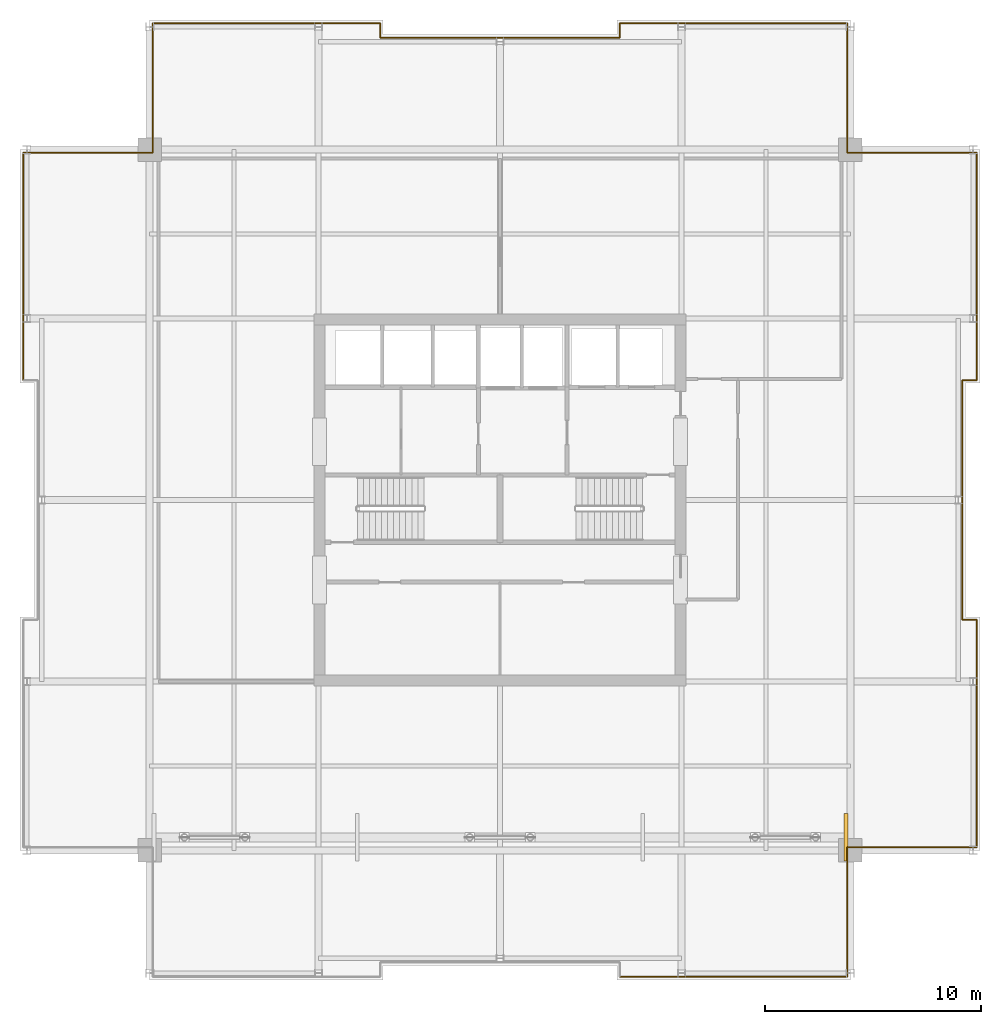
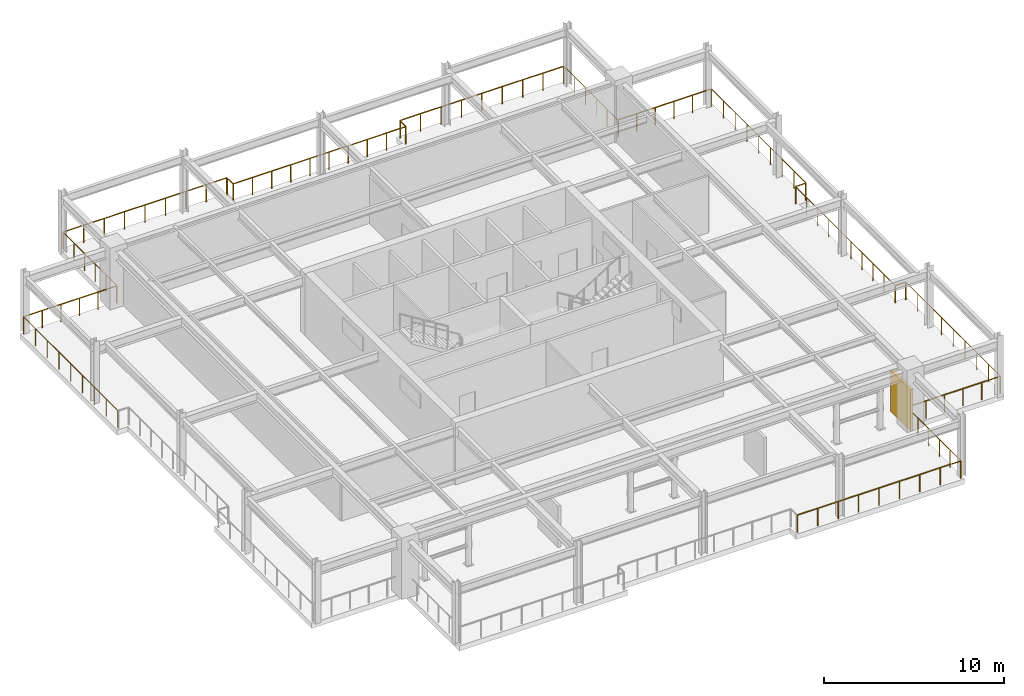
# One storey, part 13 of 13: 18 railings, 1 shading device.
"""IFC4 building model written with IfcOpenShell, lengths in metres."""

from ifc_helpers import new_model, si_unit, direction, frame, origin, origin_2d, place, context, subcontext, project, spatial, rectangle, circle, extrude, material, layer, layer_set, type_object, element, save


model = new_model("IFC4")

# Units and contexts
model_context = context("Model", 3, precision=1e-05, world=origin(), true_north=direction((0.0, 1.0)))
body_context = subcontext(model_context, "Body", "Model", "MODEL_VIEW")
ifc_project = project(units=[si_unit("LENGTHUNIT", "METRE"), si_unit("AREAUNIT", "SQUARE_METRE"), si_unit("VOLUMEUNIT", "CUBIC_METRE"), si_unit("PLANEANGLEUNIT", "RADIAN"), si_unit("MASSUNIT", "GRAM", prefix="KILO")], contexts=[model_context])

# Site, building, storey
site_placement = place(None, origin())
site = spatial("IfcSite", under=ifc_project, at=site_placement, CompositionType="ELEMENT")
building_placement = place(site_placement, origin())
building = spatial("IfcBuilding", under=site, at=building_placement, Name="Drelvath Grand Hotel", CompositionType="ELEMENT")
storey_placement = place(building_placement, frame((0.0, 0.0, 303.0)))
storey = spatial("IfcBuildingStorey", under=building, at=storey_placement, Name="L79", CompositionType="ELEMENT", Elevation=303.0)

# Shading device
ifc_material_1 = material(Name="Pale-Metal Anodised Aluminium Louvre", Category="aluminium")
ifc_layer = layer(ifc_material_1, 0.179931640625)
ifc_layer_set = layer_set([ifc_layer], Name="Pale-Metal Anodised Aluminium Louvre")
shading_device_type = type_object("IfcShadingDeviceType", Name="Mechanical Acoustic Weather Louvre Pale-Metal 180", PredefinedType="USERDEFINED", material=ifc_layer_set)
shading_device_placement = place(storey_placement, frame((16.0, 11.39990234375, 0.0), z_axis=(0.0, 0.0, 1.0), x_axis=(1.0, 0.0, 0.0)))
element("IfcShadingDevice", 1, at=shading_device_placement, inside=storey, type_object=shading_device_type, Name="L79 Wind-Turbine Acoustic Shroud Louvre 4", ObjectType="LOUVRE", PredefinedType="USERDEFINED", context=body_context, shape_type="SweptSolid", body=[
    extrude(rectangle(XDim=0.179931640625, YDim=2.199951171875, at=origin_2d()), origin(), (0.0, 0.0, 1.0), 2.800048828125),
])

# Railings
ifc_material_2 = material(Name="Stainless Steel Grade 316 Guardrail", Category="steel")
railing_type = type_object("IfcRailingType", Name="Open Wind-Slot Perimeter Guardrail 1200", PredefinedType="GUARDRAIL", material=ifc_material_2)
railing_1_placement = place(storey_placement, frame((-22.06005859375, 32.56201171875, 0.0)))
element("IfcRailing", 2, at=railing_1_placement, inside=storey, type_object=railing_type, Name="L79 Open Wind-Turbine Deck Perimeter Guardrail E07", PredefinedType="GUARDRAIL", context=body_context, shape_type="SweptSolid", body=[
    extrude(circle(Radius=0.02392578125, at=origin_2d()), frame((0.0, 0.0, 1.17578125), z_axis=(0.0, 1.0, 0.0), x_axis=(-1.0, 0.0, 0.0)), (0.0, 0.0, 1.0), 10.47607421875),
    extrude(circle(Radius=0.02099609375, at=origin_2d()), origin(), (0.0, 0.0, 1.0), 1.15185546875),
    extrude(circle(Radius=0.02099609375, at=origin_2d()), frame((0.0, 1.3095703125, 0.0)), (0.0, 0.0, 1.0), 1.15185546875),
    extrude(circle(Radius=0.02099609375, at=origin_2d()), frame((0.0, 2.619140625, 0.0)), (0.0, 0.0, 1.0), 1.15185546875),
    extrude(circle(Radius=0.02099609375, at=origin_2d()), frame((0.0, 3.928466796875, 0.0)), (0.0, 0.0, 1.0), 1.15185546875),
    extrude(circle(Radius=0.02099609375, at=origin_2d()), frame((0.0, 5.238037109375, 0.0)), (0.0, 0.0, 1.0), 1.15185546875),
    extrude(circle(Radius=0.02099609375, at=origin_2d()), frame((0.0, 6.547607421875, 0.0)), (0.0, 0.0, 1.0), 1.15185546875),
    extrude(circle(Radius=0.02099609375, at=origin_2d()), frame((0.0, 7.85693359375, 0.0)), (0.0, 0.0, 1.0), 1.15185546875),
    extrude(circle(Radius=0.02099609375, at=origin_2d()), frame((0.0, 9.16650390625, 0.0)), (0.0, 0.0, 1.0), 1.15185546875),
    extrude(circle(Radius=0.02099609375, at=origin_2d()), frame((0.0, 10.47607421875, 0.0)), (0.0, 0.0, 1.0), 1.15185546875),
])
railing_2_placement = place(storey_placement, frame((-22.0380859375, 43.06005859375, 0.0)))
element("IfcRailing", 3, at=railing_2_placement, inside=storey, type_object=railing_type, Name="L79 Open Wind-Turbine Deck Perimeter Guardrail E08", PredefinedType="GUARDRAIL", context=body_context, shape_type="SweptSolid", body=[
    extrude(circle(Radius=0.02392578125, at=origin_2d()), frame((0.0, 0.0, 1.17578125), z_axis=(1.0, 0.0, 0.0), x_axis=(0.0, 1.0, 0.0)), (0.0, 0.0, 1.0), 5.9560546875),
    extrude(circle(Radius=0.02099609375, at=origin_2d()), origin(), (0.0, 0.0, 1.0), 1.15185546875),
    extrude(circle(Radius=0.02099609375, at=origin_2d()), frame((1.191162109375, 0.0, 0.0)), (0.0, 0.0, 1.0), 1.15185546875),
    extrude(circle(Radius=0.02099609375, at=origin_2d()), frame((2.38232421875, 0.0, 0.0)), (0.0, 0.0, 1.0), 1.15185546875),
    extrude(circle(Radius=0.02099609375, at=origin_2d()), frame((3.57373046875, 0.0, 0.0)), (0.0, 0.0, 1.0), 1.15185546875),
    extrude(circle(Radius=0.02099609375, at=origin_2d()), frame((4.764892578125, 0.0, 0.0)), (0.0, 0.0, 1.0), 1.15185546875),
    extrude(circle(Radius=0.02099609375, at=origin_2d()), frame((5.9560546875, 0.0, 0.0)), (0.0, 0.0, 1.0), 1.15185546875),
])
railing_3_placement = place(storey_placement, frame((-16.06005859375, 43.08203125, 0.0)))
element("IfcRailing", 4, at=railing_3_placement, inside=storey, type_object=railing_type, Name="L79 Open Wind-Turbine Deck Perimeter Guardrail E09", PredefinedType="GUARDRAIL", context=body_context, shape_type="SweptSolid", body=[
    extrude(circle(Radius=0.02392578125, at=origin_2d()), frame((0.0, 0.0, 1.17578125), z_axis=(0.0, 1.0, 0.0), x_axis=(-1.0, 0.0, 0.0)), (0.0, 0.0, 1.0), 5.9560546875),
    extrude(circle(Radius=0.02099609375, at=origin_2d()), origin(), (0.0, 0.0, 1.0), 1.15185546875),
    extrude(circle(Radius=0.02099609375, at=origin_2d()), frame((0.0, 1.191162109375, 0.0)), (0.0, 0.0, 1.0), 1.15185546875),
    extrude(circle(Radius=0.02099609375, at=origin_2d()), frame((0.0, 2.38232421875, 0.0)), (0.0, 0.0, 1.0), 1.15185546875),
    extrude(circle(Radius=0.02099609375, at=origin_2d()), frame((0.0, 3.57373046875, 0.0)), (0.0, 0.0, 1.0), 1.15185546875),
    extrude(circle(Radius=0.02099609375, at=origin_2d()), frame((0.0, 4.764892578125, 0.0)), (0.0, 0.0, 1.0), 1.15185546875),
    extrude(circle(Radius=0.02099609375, at=origin_2d()), frame((0.0, 5.9560546875, 0.0)), (0.0, 0.0, 1.0), 1.15185546875),
])
railing_4_placement = place(storey_placement, frame((-16.0380859375, 49.06005859375, 0.0)))
element("IfcRailing", 5, at=railing_4_placement, inside=storey, type_object=railing_type, Name="L79 Open Wind-Turbine Deck Perimeter Guardrail E10", PredefinedType="GUARDRAIL", context=body_context, shape_type="SweptSolid", body=[
    extrude(circle(Radius=0.02392578125, at=origin_2d()), frame((0.0, 0.0, 1.17578125), z_axis=(1.0, 0.0, 0.0), x_axis=(0.0, 1.0, 0.0)), (0.0, 0.0, 1.0), 10.47607421875),
    extrude(circle(Radius=0.02099609375, at=origin_2d()), origin(), (0.0, 0.0, 1.0), 1.15185546875),
    extrude(circle(Radius=0.02099609375, at=origin_2d()), frame((1.3095703125, 0.0, 0.0)), (0.0, 0.0, 1.0), 1.15185546875),
    extrude(circle(Radius=0.02099609375, at=origin_2d()), frame((2.619140625, 0.0, 0.0)), (0.0, 0.0, 1.0), 1.15185546875),
    extrude(circle(Radius=0.02099609375, at=origin_2d()), frame((3.928466796875, 0.0, 0.0)), (0.0, 0.0, 1.0), 1.15185546875),
    extrude(circle(Radius=0.02099609375, at=origin_2d()), frame((5.238037109375, 0.0, 0.0)), (0.0, 0.0, 1.0), 1.15185546875),
    extrude(circle(Radius=0.02099609375, at=origin_2d()), frame((6.547607421875, 0.0, 0.0)), (0.0, 0.0, 1.0), 1.15185546875),
    extrude(circle(Radius=0.02099609375, at=origin_2d()), frame((7.85693359375, 0.0, 0.0)), (0.0, 0.0, 1.0), 1.15185546875),
    extrude(circle(Radius=0.02099609375, at=origin_2d()), frame((9.16650390625, 0.0, 0.0)), (0.0, 0.0, 1.0), 1.15185546875),
    extrude(circle(Radius=0.02099609375, at=origin_2d()), frame((10.47607421875, 0.0, 0.0)), (0.0, 0.0, 1.0), 1.15185546875),
])
railing_5_placement = place(storey_placement, frame((-5.5400390625, 49.0380859375, 0.0)))
element("IfcRailing", 6, at=railing_5_placement, inside=storey, type_object=railing_type, Name="L79 Open Wind-Turbine Deck Perimeter Guardrail E11", PredefinedType="GUARDRAIL", context=body_context, shape_type="SweptSolid", body=[
    extrude(circle(Radius=0.02392578125, at=origin_2d()), frame((0.0, 0.0, 1.17578125), z_axis=(0.0, -1.0, 0.0), x_axis=(1.0, 0.0, 0.0)), (0.0, 0.0, 1.0), 0.635986328125),
    extrude(circle(Radius=0.02099609375, at=origin_2d()), origin(), (0.0, 0.0, 1.0), 1.15185546875),
    extrude(circle(Radius=0.02099609375, at=origin_2d()), frame((0.0, -0.635986328125, 0.0)), (0.0, 0.0, 1.0), 1.15185546875),
])
railing_6_placement = place(storey_placement, frame((-5.51806640625, 48.3798828125, 0.0)))
element("IfcRailing", 7, at=railing_6_placement, inside=storey, type_object=railing_type, Name="L79 Open Wind-Turbine Deck Perimeter Guardrail E12", PredefinedType="GUARDRAIL", context=body_context, shape_type="SweptSolid", body=[
    extrude(circle(Radius=0.02392578125, at=origin_2d()), frame((0.0, 0.0, 1.17578125), z_axis=(1.0, 0.0, 0.0), x_axis=(0.0, 1.0, 0.0)), (0.0, 0.0, 1.0), 11.0361328125),
    extrude(circle(Radius=0.02099609375, at=origin_2d()), origin(), (0.0, 0.0, 1.0), 1.15185546875),
    extrude(circle(Radius=0.02099609375, at=origin_2d()), frame((1.226318359375, 0.0, 0.0)), (0.0, 0.0, 1.0), 1.15185546875),
    extrude(circle(Radius=0.02099609375, at=origin_2d()), frame((2.452392578125, 0.0, 0.0)), (0.0, 0.0, 1.0), 1.15185546875),
    extrude(circle(Radius=0.02099609375, at=origin_2d()), frame((3.6787109375, 0.0, 0.0)), (0.0, 0.0, 1.0), 1.15185546875),
    extrude(circle(Radius=0.02099609375, at=origin_2d()), frame((4.905029296875, 0.0, 0.0)), (0.0, 0.0, 1.0), 1.15185546875),
    extrude(circle(Radius=0.02099609375, at=origin_2d()), frame((6.131103515625, 0.0, 0.0)), (0.0, 0.0, 1.0), 1.15185546875),
    extrude(circle(Radius=0.02099609375, at=origin_2d()), frame((7.357421875, 0.0, 0.0)), (0.0, 0.0, 1.0), 1.15185546875),
    extrude(circle(Radius=0.02099609375, at=origin_2d()), frame((8.583740234375, 0.0, 0.0)), (0.0, 0.0, 1.0), 1.15185546875),
    extrude(circle(Radius=0.02099609375, at=origin_2d()), frame((9.809814453125, 0.0, 0.0)), (0.0, 0.0, 1.0), 1.15185546875),
    extrude(circle(Radius=0.02099609375, at=origin_2d()), frame((11.0361328125, 0.0, 0.0)), (0.0, 0.0, 1.0), 1.15185546875),
])
railing_7_placement = place(storey_placement, frame((5.5400390625, 48.402099609375, 0.0)))
element("IfcRailing", 8, at=railing_7_placement, inside=storey, type_object=railing_type, Name="L79 Open Wind-Turbine Deck Perimeter Guardrail E13", PredefinedType="GUARDRAIL", context=body_context, shape_type="SweptSolid", body=[
    extrude(circle(Radius=0.02392578125, at=origin_2d()), frame((0.0, 0.0, 1.17578125), z_axis=(0.0, 1.0, 0.0), x_axis=(-1.0, 0.0, 0.0)), (0.0, 0.0, 1.0), 0.635986328125),
    extrude(circle(Radius=0.02099609375, at=origin_2d()), origin(), (0.0, 0.0, 1.0), 1.15185546875),
    extrude(circle(Radius=0.02099609375, at=origin_2d()), frame((0.0, 0.635986328125, 0.0)), (0.0, 0.0, 1.0), 1.15185546875),
])
railing_8_placement = place(storey_placement, frame((5.56201171875, 49.06005859375, 0.0)))
element("IfcRailing", 9, at=railing_8_placement, inside=storey, type_object=railing_type, Name="L79 Open Wind-Turbine Deck Perimeter Guardrail E14", PredefinedType="GUARDRAIL", context=body_context, shape_type="SweptSolid", body=[
    extrude(circle(Radius=0.02392578125, at=origin_2d()), frame((0.0, 0.0, 1.17578125), z_axis=(1.0, 0.0, 0.0), x_axis=(0.0, 1.0, 0.0)), (0.0, 0.0, 1.0), 10.47607421875),
    extrude(circle(Radius=0.02099609375, at=origin_2d()), origin(), (0.0, 0.0, 1.0), 1.15185546875),
    extrude(circle(Radius=0.02099609375, at=origin_2d()), frame((1.3095703125, 0.0, 0.0)), (0.0, 0.0, 1.0), 1.15185546875),
    extrude(circle(Radius=0.02099609375, at=origin_2d()), frame((2.619140625, 0.0, 0.0)), (0.0, 0.0, 1.0), 1.15185546875),
    extrude(circle(Radius=0.02099609375, at=origin_2d()), frame((3.928466796875, 0.0, 0.0)), (0.0, 0.0, 1.0), 1.15185546875),
    extrude(circle(Radius=0.02099609375, at=origin_2d()), frame((5.238037109375, 0.0, 0.0)), (0.0, 0.0, 1.0), 1.15185546875),
    extrude(circle(Radius=0.02099609375, at=origin_2d()), frame((6.547607421875, 0.0, 0.0)), (0.0, 0.0, 1.0), 1.15185546875),
    extrude(circle(Radius=0.02099609375, at=origin_2d()), frame((7.85693359375, 0.0, 0.0)), (0.0, 0.0, 1.0), 1.15185546875),
    extrude(circle(Radius=0.02099609375, at=origin_2d()), frame((9.16650390625, 0.0, 0.0)), (0.0, 0.0, 1.0), 1.15185546875),
    extrude(circle(Radius=0.02099609375, at=origin_2d()), frame((10.47607421875, 0.0, 0.0)), (0.0, 0.0, 1.0), 1.15185546875),
])
railing_9_placement = place(storey_placement, frame((16.06005859375, 49.0380859375, 0.0)))
element("IfcRailing", 10, at=railing_9_placement, inside=storey, type_object=railing_type, Name="L79 Open Wind-Turbine Deck Perimeter Guardrail E15", PredefinedType="GUARDRAIL", context=body_context, shape_type="SweptSolid", body=[
    extrude(circle(Radius=0.02392578125, at=origin_2d()), frame((0.0, 0.0, 1.17578125), z_axis=(0.0, -1.0, 0.0), x_axis=(1.0, 0.0, 0.0)), (0.0, 0.0, 1.0), 5.9560546875),
    extrude(circle(Radius=0.02099609375, at=origin_2d()), origin(), (0.0, 0.0, 1.0), 1.15185546875),
    extrude(circle(Radius=0.02099609375, at=origin_2d()), frame((0.0, -1.191162109375, 0.0)), (0.0, 0.0, 1.0), 1.15185546875),
    extrude(circle(Radius=0.02099609375, at=origin_2d()), frame((0.0, -2.38232421875, 0.0)), (0.0, 0.0, 1.0), 1.15185546875),
    extrude(circle(Radius=0.02099609375, at=origin_2d()), frame((0.0, -3.57373046875, 0.0)), (0.0, 0.0, 1.0), 1.15185546875),
    extrude(circle(Radius=0.02099609375, at=origin_2d()), frame((0.0, -4.764892578125, 0.0)), (0.0, 0.0, 1.0), 1.15185546875),
    extrude(circle(Radius=0.02099609375, at=origin_2d()), frame((0.0, -5.9560546875, 0.0)), (0.0, 0.0, 1.0), 1.15185546875),
])
railing_10_placement = place(storey_placement, frame((16.08203125, 43.06005859375, 0.0)))
element("IfcRailing", 11, at=railing_10_placement, inside=storey, type_object=railing_type, Name="L79 Open Wind-Turbine Deck Perimeter Guardrail E16", PredefinedType="GUARDRAIL", context=body_context, shape_type="SweptSolid", body=[
    extrude(circle(Radius=0.02392578125, at=origin_2d()), frame((0.0, 0.0, 1.17578125), z_axis=(1.0, 0.0, 0.0), x_axis=(0.0, 1.0, 0.0)), (0.0, 0.0, 1.0), 5.9560546875),
    extrude(circle(Radius=0.02099609375, at=origin_2d()), origin(), (0.0, 0.0, 1.0), 1.15185546875),
    extrude(circle(Radius=0.02099609375, at=origin_2d()), frame((1.191162109375, 0.0, 0.0)), (0.0, 0.0, 1.0), 1.15185546875),
    extrude(circle(Radius=0.02099609375, at=origin_2d()), frame((2.38232421875, 0.0, 0.0)), (0.0, 0.0, 1.0), 1.15185546875),
    extrude(circle(Radius=0.02099609375, at=origin_2d()), frame((3.57373046875, 0.0, 0.0)), (0.0, 0.0, 1.0), 1.15185546875),
    extrude(circle(Radius=0.02099609375, at=origin_2d()), frame((4.764892578125, 0.0, 0.0)), (0.0, 0.0, 1.0), 1.15185546875),
    extrude(circle(Radius=0.02099609375, at=origin_2d()), frame((5.9560546875, 0.0, 0.0)), (0.0, 0.0, 1.0), 1.15185546875),
])
railing_11_placement = place(storey_placement, frame((22.06005859375, 43.0380859375, 0.0)))
element("IfcRailing", 12, at=railing_11_placement, inside=storey, type_object=railing_type, Name="L79 Open Wind-Turbine Deck Perimeter Guardrail E17", PredefinedType="GUARDRAIL", context=body_context, shape_type="SweptSolid", body=[
    extrude(circle(Radius=0.02392578125, at=origin_2d()), frame((0.0, 0.0, 1.17578125), z_axis=(0.0, -1.0, 0.0), x_axis=(1.0, 0.0, 0.0)), (0.0, 0.0, 1.0), 10.47607421875),
    extrude(circle(Radius=0.02099609375, at=origin_2d()), origin(), (0.0, 0.0, 1.0), 1.15185546875),
    extrude(circle(Radius=0.02099609375, at=origin_2d()), frame((0.0, -1.3095703125, 0.0)), (0.0, 0.0, 1.0), 1.15185546875),
    extrude(circle(Radius=0.02099609375, at=origin_2d()), frame((0.0, -2.619140625, 0.0)), (0.0, 0.0, 1.0), 1.15185546875),
    extrude(circle(Radius=0.02099609375, at=origin_2d()), frame((0.0, -3.928466796875, 0.0)), (0.0, 0.0, 1.0), 1.15185546875),
    extrude(circle(Radius=0.02099609375, at=origin_2d()), frame((0.0, -5.238037109375, 0.0)), (0.0, 0.0, 1.0), 1.15185546875),
    extrude(circle(Radius=0.02099609375, at=origin_2d()), frame((0.0, -6.547607421875, 0.0)), (0.0, 0.0, 1.0), 1.15185546875),
    extrude(circle(Radius=0.02099609375, at=origin_2d()), frame((0.0, -7.85693359375, 0.0)), (0.0, 0.0, 1.0), 1.15185546875),
    extrude(circle(Radius=0.02099609375, at=origin_2d()), frame((0.0, -9.16650390625, 0.0)), (0.0, 0.0, 1.0), 1.15185546875),
    extrude(circle(Radius=0.02099609375, at=origin_2d()), frame((0.0, -10.47607421875, 0.0)), (0.0, 0.0, 1.0), 1.15185546875),
])
railing_12_placement = place(storey_placement, frame((22.0380859375, 32.5400390625, 0.0)))
element("IfcRailing", 13, at=railing_12_placement, inside=storey, type_object=railing_type, Name="L79 Open Wind-Turbine Deck Perimeter Guardrail E18", PredefinedType="GUARDRAIL", context=body_context, shape_type="SweptSolid", body=[
    extrude(circle(Radius=0.02392578125, at=origin_2d()), frame((0.0, 0.0, 1.17578125), z_axis=(-1.0, 0.0, 0.0), x_axis=(0.0, -1.0, 0.0)), (0.0, 0.0, 1.0), 0.635986328125),
    extrude(circle(Radius=0.02099609375, at=origin_2d()), origin(), (0.0, 0.0, 1.0), 1.15185546875),
    extrude(circle(Radius=0.02099609375, at=origin_2d()), frame((-0.635986328125, 0.0, 0.0)), (0.0, 0.0, 1.0), 1.15185546875),
])
railing_13_placement = place(storey_placement, frame((21.3798828125, 32.51806640625, 0.0)))
element("IfcRailing", 14, at=railing_13_placement, inside=storey, type_object=railing_type, Name="L79 Open Wind-Turbine Deck Perimeter Guardrail E19", PredefinedType="GUARDRAIL", context=body_context, shape_type="SweptSolid", body=[
    extrude(circle(Radius=0.02392578125, at=origin_2d()), frame((0.0, 0.0, 1.17578125), z_axis=(0.0, -1.0, 0.0), x_axis=(1.0, 0.0, 0.0)), (0.0, 0.0, 1.0), 11.0361328125),
    extrude(circle(Radius=0.02099609375, at=origin_2d()), origin(), (0.0, 0.0, 1.0), 1.15185546875),
    extrude(circle(Radius=0.02099609375, at=origin_2d()), frame((0.0, -1.226318359375, 0.0)), (0.0, 0.0, 1.0), 1.15185546875),
    extrude(circle(Radius=0.02099609375, at=origin_2d()), frame((0.0, -2.452392578125, 0.0)), (0.0, 0.0, 1.0), 1.15185546875),
    extrude(circle(Radius=0.02099609375, at=origin_2d()), frame((0.0, -3.6787109375, 0.0)), (0.0, 0.0, 1.0), 1.15185546875),
    extrude(circle(Radius=0.02099609375, at=origin_2d()), frame((0.0, -4.905029296875, 0.0)), (0.0, 0.0, 1.0), 1.15185546875),
    extrude(circle(Radius=0.02099609375, at=origin_2d()), frame((0.0, -6.131103515625, 0.0)), (0.0, 0.0, 1.0), 1.15185546875),
    extrude(circle(Radius=0.02099609375, at=origin_2d()), frame((0.0, -7.357421875, 0.0)), (0.0, 0.0, 1.0), 1.15185546875),
    extrude(circle(Radius=0.02099609375, at=origin_2d()), frame((0.0, -8.583740234375, 0.0)), (0.0, 0.0, 1.0), 1.15185546875),
    extrude(circle(Radius=0.02099609375, at=origin_2d()), frame((0.0, -9.809814453125, 0.0)), (0.0, 0.0, 1.0), 1.15185546875),
    extrude(circle(Radius=0.02099609375, at=origin_2d()), frame((0.0, -11.0361328125, 0.0)), (0.0, 0.0, 1.0), 1.15185546875),
])
railing_14_placement = place(storey_placement, frame((21.402099609375, 21.4599609375, 0.0)))
element("IfcRailing", 15, at=railing_14_placement, inside=storey, type_object=railing_type, Name="L79 Open Wind-Turbine Deck Perimeter Guardrail E20", PredefinedType="GUARDRAIL", context=body_context, shape_type="SweptSolid", body=[
    extrude(circle(Radius=0.02392578125, at=origin_2d()), frame((0.0, 0.0, 1.17578125), z_axis=(1.0, 0.0, 0.0), x_axis=(0.0, 1.0, 0.0)), (0.0, 0.0, 1.0), 0.635986328125),
    extrude(circle(Radius=0.02099609375, at=origin_2d()), origin(), (0.0, 0.0, 1.0), 1.15185546875),
    extrude(circle(Radius=0.02099609375, at=origin_2d()), frame((0.635986328125, 0.0, 0.0)), (0.0, 0.0, 1.0), 1.15185546875),
])
railing_15_placement = place(storey_placement, frame((22.06005859375, 21.43798828125, 0.0)))
element("IfcRailing", 16, at=railing_15_placement, inside=storey, type_object=railing_type, Name="L79 Open Wind-Turbine Deck Perimeter Guardrail E21", PredefinedType="GUARDRAIL", context=body_context, shape_type="SweptSolid", body=[
    extrude(circle(Radius=0.02392578125, at=origin_2d()), frame((0.0, 0.0, 1.17578125), z_axis=(0.0, -1.0, 0.0), x_axis=(1.0, 0.0, 0.0)), (0.0, 0.0, 1.0), 10.47607421875),
    extrude(circle(Radius=0.02099609375, at=origin_2d()), origin(), (0.0, 0.0, 1.0), 1.15185546875),
    extrude(circle(Radius=0.02099609375, at=origin_2d()), frame((0.0, -1.3095703125, 0.0)), (0.0, 0.0, 1.0), 1.15185546875),
    extrude(circle(Radius=0.02099609375, at=origin_2d()), frame((0.0, -2.619140625, 0.0)), (0.0, 0.0, 1.0), 1.15185546875),
    extrude(circle(Radius=0.02099609375, at=origin_2d()), frame((0.0, -3.928466796875, 0.0)), (0.0, 0.0, 1.0), 1.15185546875),
    extrude(circle(Radius=0.02099609375, at=origin_2d()), frame((0.0, -5.238037109375, 0.0)), (0.0, 0.0, 1.0), 1.15185546875),
    extrude(circle(Radius=0.02099609375, at=origin_2d()), frame((0.0, -6.547607421875, 0.0)), (0.0, 0.0, 1.0), 1.15185546875),
    extrude(circle(Radius=0.02099609375, at=origin_2d()), frame((0.0, -7.85693359375, 0.0)), (0.0, 0.0, 1.0), 1.15185546875),
    extrude(circle(Radius=0.02099609375, at=origin_2d()), frame((0.0, -9.16650390625, 0.0)), (0.0, 0.0, 1.0), 1.15185546875),
    extrude(circle(Radius=0.02099609375, at=origin_2d()), frame((0.0, -10.47607421875, 0.0)), (0.0, 0.0, 1.0), 1.15185546875),
])
railing_16_placement = place(storey_placement, frame((22.0380859375, 10.93994140625, 0.0)))
element("IfcRailing", 17, at=railing_16_placement, inside=storey, type_object=railing_type, Name="L79 Open Wind-Turbine Deck Perimeter Guardrail E22", PredefinedType="GUARDRAIL", context=body_context, shape_type="SweptSolid", body=[
    extrude(circle(Radius=0.02392578125, at=origin_2d()), frame((0.0, 0.0, 1.17578125), z_axis=(-1.0, 0.0, 0.0), x_axis=(0.0, -1.0, 0.0)), (0.0, 0.0, 1.0), 5.9560546875),
    extrude(circle(Radius=0.02099609375, at=origin_2d()), origin(), (0.0, 0.0, 1.0), 1.15185546875),
    extrude(circle(Radius=0.02099609375, at=origin_2d()), frame((-1.191162109375, 0.0, 0.0)), (0.0, 0.0, 1.0), 1.15185546875),
    extrude(circle(Radius=0.02099609375, at=origin_2d()), frame((-2.38232421875, 0.0, 0.0)), (0.0, 0.0, 1.0), 1.15185546875),
    extrude(circle(Radius=0.02099609375, at=origin_2d()), frame((-3.57373046875, 0.0, 0.0)), (0.0, 0.0, 1.0), 1.15185546875),
    extrude(circle(Radius=0.02099609375, at=origin_2d()), frame((-4.764892578125, 0.0, 0.0)), (0.0, 0.0, 1.0), 1.15185546875),
    extrude(circle(Radius=0.02099609375, at=origin_2d()), frame((-5.9560546875, 0.0, 0.0)), (0.0, 0.0, 1.0), 1.15185546875),
])
railing_17_placement = place(storey_placement, frame((16.06005859375, 10.91796875, 0.0)))
element("IfcRailing", 18, at=railing_17_placement, inside=storey, type_object=railing_type, Name="L79 Open Wind-Turbine Deck Perimeter Guardrail E23", PredefinedType="GUARDRAIL", context=body_context, shape_type="SweptSolid", body=[
    extrude(circle(Radius=0.02392578125, at=origin_2d()), frame((0.0, 0.0, 1.17578125), z_axis=(0.0, -1.0, 0.0), x_axis=(1.0, 0.0, 0.0)), (0.0, 0.0, 1.0), 5.9560546875),
    extrude(circle(Radius=0.02099609375, at=origin_2d()), origin(), (0.0, 0.0, 1.0), 1.15185546875),
    extrude(circle(Radius=0.02099609375, at=origin_2d()), frame((0.0, -1.191162109375, 0.0)), (0.0, 0.0, 1.0), 1.15185546875),
    extrude(circle(Radius=0.02099609375, at=origin_2d()), frame((0.0, -2.38232421875, 0.0)), (0.0, 0.0, 1.0), 1.15185546875),
    extrude(circle(Radius=0.02099609375, at=origin_2d()), frame((0.0, -3.57373046875, 0.0)), (0.0, 0.0, 1.0), 1.15185546875),
    extrude(circle(Radius=0.02099609375, at=origin_2d()), frame((0.0, -4.764892578125, 0.0)), (0.0, 0.0, 1.0), 1.15185546875),
    extrude(circle(Radius=0.02099609375, at=origin_2d()), frame((0.0, -5.9560546875, 0.0)), (0.0, 0.0, 1.0), 1.15185546875),
])
railing_18_placement = place(storey_placement, frame((16.0380859375, 4.93994140625, 0.0)))
element("IfcRailing", 19, at=railing_18_placement, inside=storey, type_object=railing_type, Name="L79 Open Wind-Turbine Deck Perimeter Guardrail E24", PredefinedType="GUARDRAIL", context=body_context, shape_type="SweptSolid", body=[
    extrude(circle(Radius=0.02392578125, at=origin_2d()), frame((0.0, 0.0, 1.17578125), z_axis=(-1.0, 0.0, 0.0), x_axis=(0.0, -1.0, 0.0)), (0.0, 0.0, 1.0), 10.47607421875),
    extrude(circle(Radius=0.02099609375, at=origin_2d()), origin(), (0.0, 0.0, 1.0), 1.15185546875),
    extrude(circle(Radius=0.02099609375, at=origin_2d()), frame((-1.3095703125, 0.0, 0.0)), (0.0, 0.0, 1.0), 1.15185546875),
    extrude(circle(Radius=0.02099609375, at=origin_2d()), frame((-2.619140625, 0.0, 0.0)), (0.0, 0.0, 1.0), 1.15185546875),
    extrude(circle(Radius=0.02099609375, at=origin_2d()), frame((-3.928466796875, 0.0, 0.0)), (0.0, 0.0, 1.0), 1.15185546875),
    extrude(circle(Radius=0.02099609375, at=origin_2d()), frame((-5.238037109375, 0.0, 0.0)), (0.0, 0.0, 1.0), 1.15185546875),
    extrude(circle(Radius=0.02099609375, at=origin_2d()), frame((-6.547607421875, 0.0, 0.0)), (0.0, 0.0, 1.0), 1.15185546875),
    extrude(circle(Radius=0.02099609375, at=origin_2d()), frame((-7.85693359375, 0.0, 0.0)), (0.0, 0.0, 1.0), 1.15185546875),
    extrude(circle(Radius=0.02099609375, at=origin_2d()), frame((-9.16650390625, 0.0, 0.0)), (0.0, 0.0, 1.0), 1.15185546875),
    extrude(circle(Radius=0.02099609375, at=origin_2d()), frame((-10.47607421875, 0.0, 0.0)), (0.0, 0.0, 1.0), 1.15185546875),
])

save(model, "model.ifc")
